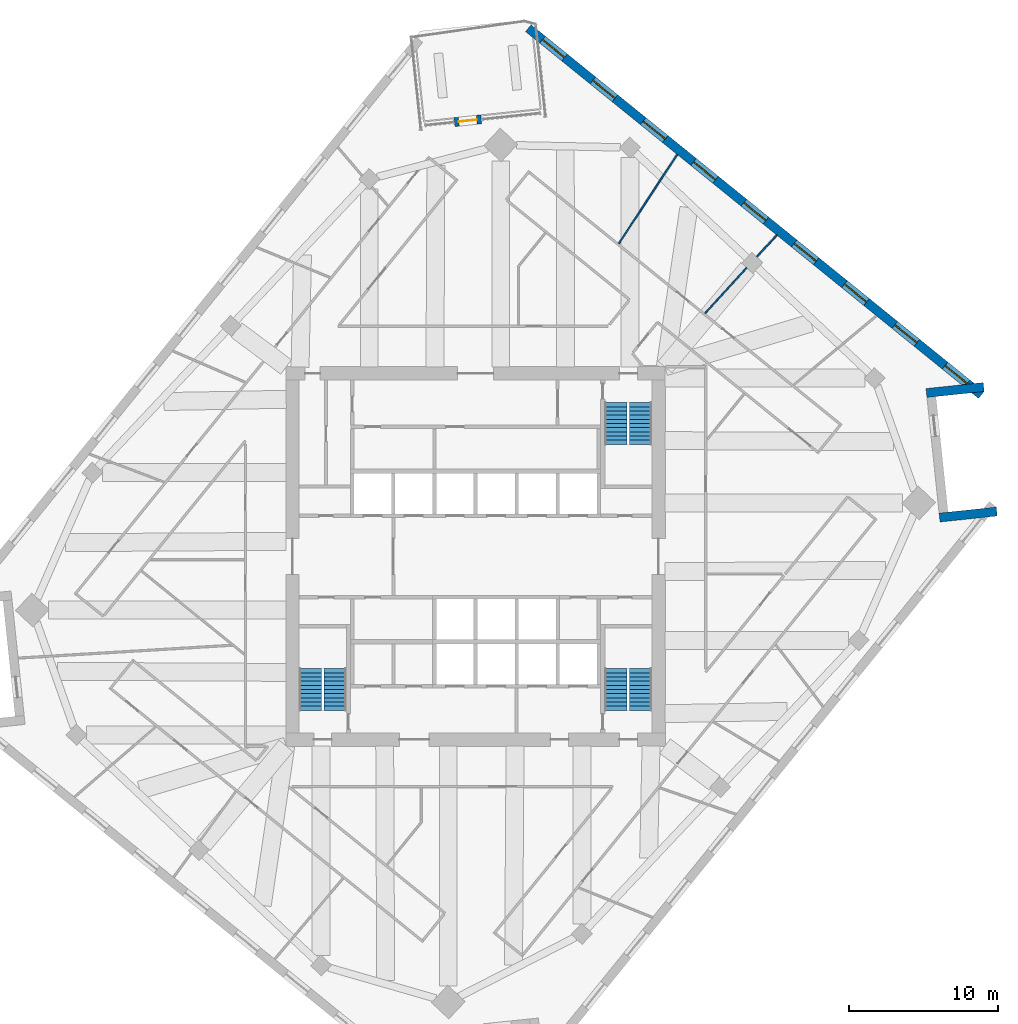
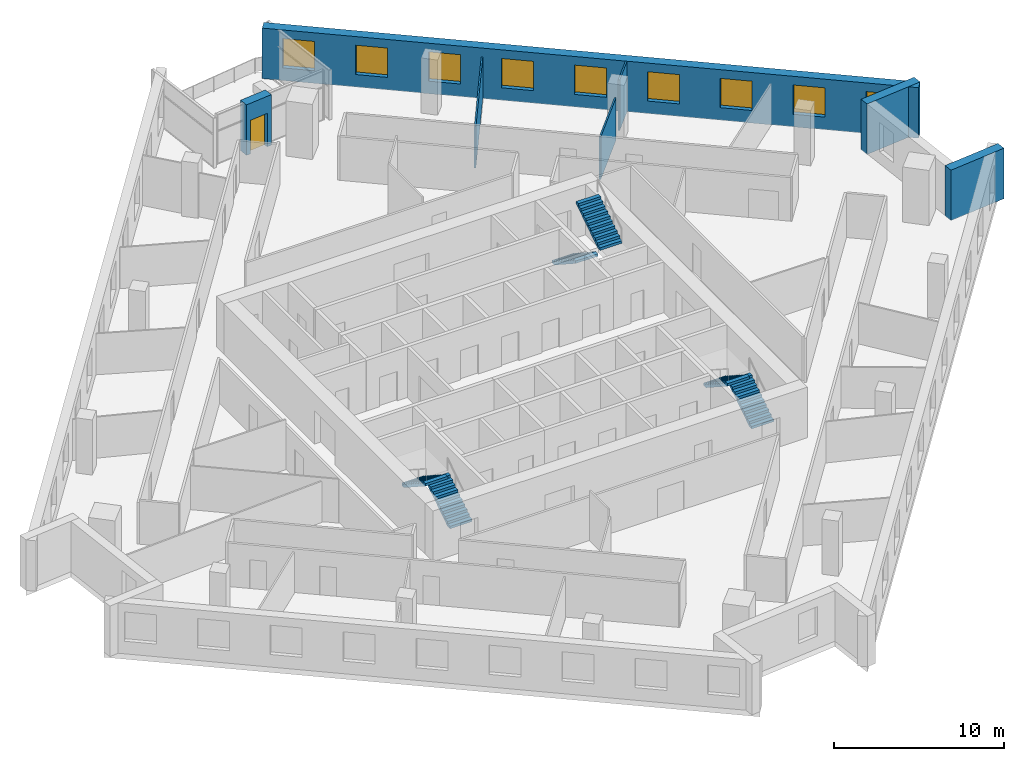
# One storey, part 12 of 14: 9 windows, 7 walls, 6 stair flights, 1 door, 10 openings, 3 elements without a shape of their own.
"""IFC4 building model written with IfcOpenShell, lengths in metres."""

from ifc_helpers import new_model, si_unit, direction, frame, frame_2d, origin, place, context, subcontext, project, spatial, polyline, rectangle, outline, extrude, material, layer, layer_set, type_object, element, fill, aggregate, save


model = new_model("IFC4")

# Units and contexts
model_context = context("Model", 3, precision=1e-05, world=origin(), true_north=direction((0.0, 1.0)))
body_context = subcontext(model_context, "Body", "Model", "MODEL_VIEW")
ifc_project = project(units=[si_unit("LENGTHUNIT", "METRE"), si_unit("AREAUNIT", "SQUARE_METRE"), si_unit("VOLUMEUNIT", "CUBIC_METRE"), si_unit("PLANEANGLEUNIT", "RADIAN"), si_unit("MASSUNIT", "GRAM", prefix="KILO")], contexts=[model_context])

# Site, building, storey
site_placement = place(None, origin())
site = spatial("IfcSite", under=ifc_project, at=site_placement, CompositionType="ELEMENT")
building_placement = place(site_placement, origin())
building = spatial("IfcBuilding", under=site, at=building_placement, Name="Dilmun Exchange Tower", CompositionType="ELEMENT")
storey_placement = place(building_placement, frame((0.0, 0.0, 225.300048828125)))
storey = spatial("IfcBuildingStorey", under=building, at=storey_placement, Name="L53", CompositionType="ELEMENT", Elevation=225.300048828125)

# Walls
ifc_material_1 = material(Name="Partition 100")
ifc_layer_1 = layer(ifc_material_1, 0.10009765625)
ifc_layer_set_1 = layer_set([ifc_layer_1], Name="Partition 100")
wall_type_1 = type_object("IfcWallType", Name="Partition 100", PredefinedType="PARTITIONING", material=ifc_layer_set_1)
wall_1_placement = place(storey_placement, frame((9.593994140625, 20.94921875, 0.0), z_axis=(0.0, 0.0, 1.0), x_axis=(0.548286159223, 0.836290791295, 0.0)))
element("IfcWall", 1, at=wall_1_placement, inside=storey, type_object=wall_type_1, Name="Partition", PredefinedType="PARTITIONING", context=body_context, shape_type="SweptSolid", body=[
    extrude(rectangle(XDim=7.115478515625, YDim=0.10009765625, at=frame_2d((3.5576171875, 0.0))), origin(), (0.0, 0.0, 1.0), 2.969970703125),
])
wall_2_placement = place(storey_placement, frame((15.36279296875, 16.275634765625, 0.0), z_axis=(0.0, 0.0, 1.0), x_axis=(0.675708525494, 0.737168900982, 0.0)))
element("IfcWall", 2, at=wall_2_placement, inside=storey, type_object=wall_type_1, Name="Partition", PredefinedType="PARTITIONING", context=body_context, shape_type="SweptSolid", body=[
    extrude(rectangle(XDim=4.119384765625, YDim=0.10009765625, at=frame_2d((2.0595703125, 0.0))), origin(), (0.0, 0.0, 1.0), 3.050048828125),
])
wall_3_placement = place(storey_placement, frame((18.822021484375, 20.049560546875, 0.0), z_axis=(0.0, 0.0, 1.0), x_axis=(0.675724628517, 0.737154140201, 0.0)))
element("IfcWall", 3, at=wall_3_placement, inside=storey, type_object=wall_type_1, Name="Partition", PredefinedType="PARTITIONING", context=body_context, shape_type="SweptSolid", body=[
    extrude(rectangle(XDim=1.975341796875, YDim=0.10009765625, at=frame_2d((0.98779296875, 0.0))), origin(), (0.0, 0.0, 1.0), 3.619873046875),
])
ifc_material_2 = material(Name="Precast concrete C50/60", Category="concrete")
ifc_layer_2 = layer(ifc_material_2, 0.60009765625)
ifc_layer_set_2 = layer_set([ifc_layer_2], Name="Precast concrete C50/60")
wall_type_2 = type_object("IfcWallType", Name="Precast stone-clad wall 600", PredefinedType="STANDARD", material=ifc_layer_set_2)
for number, where, z_axis, x_axis, name in (
    (4, (34.87841796875, 3.0087890625, 0.0), (0.0, 0.0, 1.0), (-0.994521092097, -0.104536105602, 0.0), "Facade wall L53-12"),
    (5, (30.17724609375, 10.93896484375, 0.0), (0.0, 0.0, 1.0), (0.994521092097, 0.104536105602, 0.0), "Facade wall L53-14"),
):
    element("IfcWall", number, at=place(storey_placement, frame(where, z_axis=z_axis, x_axis=x_axis)), inside=storey, type_object=wall_type_2, Name=name, PredefinedType="STANDARD", context=body_context, shape_type="SweptSolid", body=[
        extrude(rectangle(XDim=3.846435546875, YDim=0.60009765625, at=frame_2d((1.92333984375, 0.0))), origin(), (0.0, 0.0, 1.0), 3.619873046875),
    ])

# Wall, openings, windows
wall_4_placement = place(storey_placement, frame((33.84521484375, 10.8095703125, 0.0), z_axis=(0.0, 0.0, 1.0), x_axis=(-0.777145437972, 0.629321037499, 0.0)))
wall_4 = element("IfcWall", 6, at=wall_4_placement, inside=storey, type_object=wall_type_2, Name="Facade wall L53-15", PredefinedType="STANDARD", context=body_context, shape_type="SweptSolid", body=[
    extrude(rectangle(XDim=39.0, YDim=0.60009765625, at=frame_2d((19.5, 0.0))), origin(), (0.0, 0.0, 1.0), 3.619873046875),
])
opening_1_placement = place(wall_4_placement, frame((1.216796875, 0.0, 0.89990234375)))
opening_1 = element("IfcOpeningElement", 7, at=opening_1_placement, cuts=wall_4, Name="Opening W190-210", PredefinedType="OPENING", context=body_context, shape_type="SweptSolid", body=[
    extrude(rectangle(XDim=1.89990234375, YDim=2.10009765625, at=frame_2d((0.949951171875, 1.050048828125))), frame((0.0, 0.31005859375, 0.0), z_axis=(0.0, -1.0, 0.0), x_axis=(1.0, 0.0, 0.0)), (0.0, 0.0, 1.0), 0.6201171875),
])
opening_2_placement = place(wall_4_placement, frame((5.550048828125, 0.0, 0.89990234375)))
opening_2 = element("IfcOpeningElement", 8, at=opening_2_placement, cuts=wall_4, Name="Opening W190-210", PredefinedType="OPENING", context=body_context, shape_type="SweptSolid", body=[
    extrude(rectangle(XDim=1.89990234375, YDim=2.10009765625, at=frame_2d((0.949951171875, 1.050048828125))), frame((0.0, 0.31005859375, 0.0), z_axis=(0.0, -1.0, 0.0), x_axis=(1.0, 0.0, 0.0)), (0.0, 0.0, 1.0), 0.6201171875),
])
opening_3_placement = place(wall_4_placement, frame((9.88330078125, 0.0, 0.89990234375)))
opening_3 = element("IfcOpeningElement", 9, at=opening_3_placement, cuts=wall_4, Name="Opening W190-210", PredefinedType="OPENING", context=body_context, shape_type="SweptSolid", body=[
    extrude(rectangle(XDim=1.89990234375, YDim=2.10009765625, at=frame_2d((0.949951171875, 1.050048828125))), frame((0.0, 0.31005859375, 0.0), z_axis=(0.0, -1.0, 0.0), x_axis=(1.0, 0.0, 0.0)), (0.0, 0.0, 1.0), 0.6201171875),
])
opening_4_placement = place(wall_4_placement, frame((14.216796875, 0.0, 0.89990234375)))
opening_4 = element("IfcOpeningElement", 10, at=opening_4_placement, cuts=wall_4, Name="Opening W190-210", PredefinedType="OPENING", context=body_context, shape_type="SweptSolid", body=[
    extrude(rectangle(XDim=1.89990234375, YDim=2.10009765625, at=frame_2d((0.949951171875, 1.050048828125))), frame((0.0, 0.31005859375, 0.0), z_axis=(0.0, -1.0, 0.0), x_axis=(1.0, 0.0, 0.0)), (0.0, 0.0, 1.0), 0.6201171875),
])
opening_5_placement = place(wall_4_placement, frame((18.550048828125, 0.0, 0.89990234375)))
opening_5 = element("IfcOpeningElement", 11, at=opening_5_placement, cuts=wall_4, Name="Opening W190-210", PredefinedType="OPENING", context=body_context, shape_type="SweptSolid", body=[
    extrude(rectangle(XDim=1.89990234375, YDim=2.10009765625, at=frame_2d((0.949951171875, 1.050048828125))), frame((0.0, 0.31005859375, 0.0), z_axis=(0.0, -1.0, 0.0), x_axis=(1.0, 0.0, 0.0)), (0.0, 0.0, 1.0), 0.6201171875),
])
opening_6_placement = place(wall_4_placement, frame((22.88330078125, 0.0, 0.89990234375)))
opening_6 = element("IfcOpeningElement", 12, at=opening_6_placement, cuts=wall_4, Name="Opening W190-210", PredefinedType="OPENING", context=body_context, shape_type="SweptSolid", body=[
    extrude(rectangle(XDim=1.89990234375, YDim=2.10009765625, at=frame_2d((0.949951171875, 1.050048828125))), frame((0.0, 0.31005859375, 0.0), z_axis=(0.0, -1.0, 0.0), x_axis=(1.0, 0.0, 0.0)), (0.0, 0.0, 1.0), 0.6201171875),
])
opening_7_placement = place(wall_4_placement, frame((27.216796875, 0.0, 0.89990234375)))
opening_7 = element("IfcOpeningElement", 13, at=opening_7_placement, cuts=wall_4, Name="Opening W190-210", PredefinedType="OPENING", context=body_context, shape_type="SweptSolid", body=[
    extrude(rectangle(XDim=1.89990234375, YDim=2.10009765625, at=frame_2d((0.949951171875, 1.050048828125))), frame((0.0, 0.31005859375, 0.0), z_axis=(0.0, -1.0, 0.0), x_axis=(1.0, 0.0, 0.0)), (0.0, 0.0, 1.0), 0.6201171875),
])
opening_8_placement = place(wall_4_placement, frame((31.550048828125, 0.0, 0.89990234375)))
opening_8 = element("IfcOpeningElement", 14, at=opening_8_placement, cuts=wall_4, Name="Opening W190-210", PredefinedType="OPENING", context=body_context, shape_type="SweptSolid", body=[
    extrude(rectangle(XDim=1.89990234375, YDim=2.10009765625, at=frame_2d((0.949951171875, 1.050048828125))), frame((0.0, 0.31005859375, 0.0), z_axis=(0.0, -1.0, 0.0), x_axis=(1.0, 0.0, 0.0)), (0.0, 0.0, 1.0), 0.6201171875),
])
opening_9_placement = place(wall_4_placement, frame((35.88330078125, 0.0, 0.89990234375)))
opening_9 = element("IfcOpeningElement", 15, at=opening_9_placement, cuts=wall_4, Name="Opening W190-210", PredefinedType="OPENING", context=body_context, shape_type="SweptSolid", body=[
    extrude(rectangle(XDim=1.89990234375, YDim=2.10009765625, at=frame_2d((0.949951171875, 1.050048828125))), frame((0.0, 0.31005859375, 0.0), z_axis=(0.0, -1.0, 0.0), x_axis=(1.0, 0.0, 0.0)), (0.0, 0.0, 1.0), 0.6201171875),
])
ifc_material_3 = material(Name="Clear low-emissivity glass in aluminium frame", Category="aluminium")
window_type = type_object("IfcWindowType", Name="Punched window 1900 x 2100", PartitioningType="DOUBLE_PANEL_VERTICAL", PredefinedType="WINDOW", material=ifc_material_3)
window_1_placement = place(opening_1_placement, origin())
window_1 = element("IfcWindow", 16, at=window_1_placement, inside=storey, type_object=window_type, Name="Window 16.1", OverallHeight=2.10009765625, OverallWidth=1.89990234375, PartitioningType="SINGLE_PANEL", PredefinedType="WINDOW", context=body_context, shape_type="SweptSolid", body=[
    extrude(rectangle(XDim=1.89990234375, YDim=2.10009765625, at=frame_2d((0.949951171875, 1.050048828125))), frame((0.0, 0.030029296875, 0.0), z_axis=(0.0, -1.0, 0.0), x_axis=(1.0, 0.0, 0.0)), (0.0, 0.0, 1.0), 0.06005859375),
])
fill(opening_1, window_1)
window_2_placement = place(opening_2_placement, origin())
window_2 = element("IfcWindow", 17, at=window_2_placement, inside=storey, type_object=window_type, Name="Window 16.2", OverallHeight=2.10009765625, OverallWidth=1.89990234375, PartitioningType="SINGLE_PANEL", PredefinedType="WINDOW", context=body_context, shape_type="SweptSolid", body=[
    extrude(rectangle(XDim=1.89990234375, YDim=2.10009765625, at=frame_2d((0.949951171875, 1.050048828125))), frame((0.0, 0.030029296875, 0.0), z_axis=(0.0, -1.0, 0.0), x_axis=(1.0, 0.0, 0.0)), (0.0, 0.0, 1.0), 0.06005859375),
])
fill(opening_2, window_2)
window_3_placement = place(opening_3_placement, origin())
window_3 = element("IfcWindow", 18, at=window_3_placement, inside=storey, type_object=window_type, Name="Window 16.3", OverallHeight=2.10009765625, OverallWidth=1.89990234375, PartitioningType="SINGLE_PANEL", PredefinedType="WINDOW", context=body_context, shape_type="SweptSolid", body=[
    extrude(rectangle(XDim=1.89990234375, YDim=2.10009765625, at=frame_2d((0.949951171875, 1.050048828125))), frame((0.0, 0.030029296875, 0.0), z_axis=(0.0, -1.0, 0.0), x_axis=(1.0, 0.0, 0.0)), (0.0, 0.0, 1.0), 0.06005859375),
])
fill(opening_3, window_3)
window_4_placement = place(opening_4_placement, origin())
window_4 = element("IfcWindow", 19, at=window_4_placement, inside=storey, type_object=window_type, Name="Window 16.4", OverallHeight=2.10009765625, OverallWidth=1.89990234375, PartitioningType="SINGLE_PANEL", PredefinedType="WINDOW", context=body_context, shape_type="SweptSolid", body=[
    extrude(rectangle(XDim=1.89990234375, YDim=2.10009765625, at=frame_2d((0.949951171875, 1.050048828125))), frame((0.0, 0.030029296875, 0.0), z_axis=(0.0, -1.0, 0.0), x_axis=(1.0, 0.0, 0.0)), (0.0, 0.0, 1.0), 0.06005859375),
])
fill(opening_4, window_4)
window_5_placement = place(opening_5_placement, origin())
window_5 = element("IfcWindow", 20, at=window_5_placement, inside=storey, type_object=window_type, Name="Window 16.5", OverallHeight=2.10009765625, OverallWidth=1.89990234375, PartitioningType="SINGLE_PANEL", PredefinedType="WINDOW", context=body_context, shape_type="SweptSolid", body=[
    extrude(rectangle(XDim=1.89990234375, YDim=2.10009765625, at=frame_2d((0.949951171875, 1.050048828125))), frame((0.0, 0.030029296875, 0.0), z_axis=(0.0, -1.0, 0.0), x_axis=(1.0, 0.0, 0.0)), (0.0, 0.0, 1.0), 0.06005859375),
])
fill(opening_5, window_5)
window_6_placement = place(opening_6_placement, origin())
window_6 = element("IfcWindow", 21, at=window_6_placement, inside=storey, type_object=window_type, Name="Window 16.6", OverallHeight=2.10009765625, OverallWidth=1.89990234375, PartitioningType="SINGLE_PANEL", PredefinedType="WINDOW", context=body_context, shape_type="SweptSolid", body=[
    extrude(rectangle(XDim=1.89990234375, YDim=2.10009765625, at=frame_2d((0.949951171875, 1.050048828125))), frame((0.0, 0.030029296875, 0.0), z_axis=(0.0, -1.0, 0.0), x_axis=(1.0, 0.0, 0.0)), (0.0, 0.0, 1.0), 0.06005859375),
])
fill(opening_6, window_6)
window_7_placement = place(opening_7_placement, origin())
window_7 = element("IfcWindow", 22, at=window_7_placement, inside=storey, type_object=window_type, Name="Window 16.7", OverallHeight=2.10009765625, OverallWidth=1.89990234375, PartitioningType="SINGLE_PANEL", PredefinedType="WINDOW", context=body_context, shape_type="SweptSolid", body=[
    extrude(rectangle(XDim=1.89990234375, YDim=2.10009765625, at=frame_2d((0.949951171875, 1.050048828125))), frame((0.0, 0.030029296875, 0.0), z_axis=(0.0, -1.0, 0.0), x_axis=(1.0, 0.0, 0.0)), (0.0, 0.0, 1.0), 0.06005859375),
])
fill(opening_7, window_7)
window_8_placement = place(opening_8_placement, origin())
window_8 = element("IfcWindow", 23, at=window_8_placement, inside=storey, type_object=window_type, Name="Window 16.8", OverallHeight=2.10009765625, OverallWidth=1.89990234375, PartitioningType="SINGLE_PANEL", PredefinedType="WINDOW", context=body_context, shape_type="SweptSolid", body=[
    extrude(rectangle(XDim=1.89990234375, YDim=2.10009765625, at=frame_2d((0.949951171875, 1.050048828125))), frame((0.0, 0.030029296875, 0.0), z_axis=(0.0, -1.0, 0.0), x_axis=(1.0, 0.0, 0.0)), (0.0, 0.0, 1.0), 0.06005859375),
])
fill(opening_8, window_8)
window_9_placement = place(opening_9_placement, origin())
window_9 = element("IfcWindow", 24, at=window_9_placement, inside=storey, type_object=window_type, Name="Window 16.9", OverallHeight=2.10009765625, OverallWidth=1.89990234375, PartitioningType="SINGLE_PANEL", PredefinedType="WINDOW", context=body_context, shape_type="SweptSolid", body=[
    extrude(rectangle(XDim=1.89990234375, YDim=2.10009765625, at=frame_2d((0.949951171875, 1.050048828125))), frame((0.0, 0.030029296875, 0.0), z_axis=(0.0, -1.0, 0.0), x_axis=(1.0, 0.0, 0.0)), (0.0, 0.0, 1.0), 0.06005859375),
])
fill(opening_9, window_9)

# Wall, opening, door
wall_5_placement = place(storey_placement, frame((0.379638671875, 29.25537109375, 0.0), z_axis=(0.0, 0.0, 1.0), x_axis=(-0.994516595821, -0.104578872801, 0.0)))
wall_5 = element("IfcWall", 25, at=wall_5_placement, inside=storey, type_object=wall_type_2, Name="Facade wall L53-01-D", PredefinedType="STANDARD", context=body_context, shape_type="SweptSolid", body=[
    extrude(rectangle(XDim=1.7998046875, YDim=0.60009765625, at=frame_2d((0.89990234375, 0.0))), origin(), (0.0, 0.0, 1.0), 3.619873046875),
])
opening_10_placement = place(wall_5_placement, frame((0.300048828125, 0.0, 0.0)))
opening_10 = element("IfcOpeningElement", 26, at=opening_10_placement, cuts=wall_5, Name="Opening GD-1", PredefinedType="OPENING", context=body_context, shape_type="SweptSolid", body=[
    extrude(rectangle(XDim=1.199951171875, YDim=2.39990234375, at=frame_2d((0.60009765625, 1.199951171875))), frame((0.0, 0.31005859375, 0.0), z_axis=(0.0, -1.0, 0.0), x_axis=(1.0, 0.0, 0.0)), (0.0, 0.0, 1.0), 0.6201171875),
])
door_type = type_object("IfcDoorType", Name="Glazed garden door 1200 x 2400", OperationType="SINGLE_SWING_LEFT", PredefinedType="DOOR", material=ifc_material_3)
door_placement = place(opening_10_placement, origin())
door = element("IfcDoor", 27, at=door_placement, inside=storey, type_object=door_type, Name="Garden terrace door", OperationType="SINGLE_SWING_LEFT", OverallHeight=2.39990234375, OverallWidth=1.199951171875, PredefinedType="DOOR", context=body_context, shape_type="SweptSolid", body=[
    extrude(rectangle(XDim=1.199951171875, YDim=2.39990234375, at=frame_2d((0.60009765625, 1.199951171875))), frame((0.0, 0.02490234375, 0.0), z_axis=(0.0, -1.0, 0.0), x_axis=(1.0, 0.0, 0.0)), (0.0, 0.0, 1.0), 0.050048828125),
])
fill(opening_10, door)

# Stair, stair flights
ifc_material_4 = material(Name="Concrete C40/50", Category="concrete")
stair_type = type_object("IfcStairType", Name="Exit stair 1500 half-turn", PredefinedType="HALF_TURN_STAIR", material=ifc_material_4)
stair_1_placement = place(storey_placement, origin())
stair_1 = element("IfcStair", 28, at=stair_1_placement, inside=storey, type_object=stair_type, Name="L53 Protected exit stair ST1", PredefinedType="HALF_TURN_STAIR")
stair_flight_type = type_object("IfcStairFlightType", Name="Exit stair flight 1500", PredefinedType="STRAIGHT", material=ifc_material_4)
stair_flight_1_placement = place(storey_placement, frame((9.39990234375, 10.300048828125, 0.0), z_axis=(0.0, 0.0, 1.0), x_axis=(0.0, -1.0, 0.0)))
stair_flight_1 = element("IfcStairFlight", 29, at=stair_flight_1_placement, type_object=stair_flight_type, Name="ST1 flight 1", NumberOfRisers=11, NumberOfTreads=10, PredefinedType="STRAIGHT", RiserHeight=0.181818182, TreadLength=0.28, context=body_context, shape_type="SweptSolid", body=[
    extrude(outline(polyline([(0.0, 0.0), (0.0, 0.181884765625), (0.280029296875, 0.181884765625), (0.280029296875, 0.363525390625), (0.56005859375, 0.363525390625), (0.56005859375, 0.54541015625), (0.840087890625, 0.54541015625), (0.840087890625, 0.727294921875), (1.1201171875, 0.727294921875), (1.1201171875, 0.9091796875), (1.39990234375, 0.9091796875), (1.39990234375, 1.0908203125), (1.679931640625, 1.0908203125), (1.679931640625, 1.272705078125), (1.9599609375, 1.272705078125), (1.9599609375, 1.45458984375), (2.239990234375, 1.45458984375), (2.239990234375, 1.636474609375), (2.52001953125, 1.636474609375), (2.52001953125, 1.818115234375), (2.800048828125, 1.818115234375), (2.800048828125, 2.0), (2.800048828125, 1.639404296875), (0.275146484375, 0.0), (0.0, 0.0)])), frame((0.0, 0.75, 0.0), z_axis=(0.0, -1.0, 0.0), x_axis=(1.0, 0.0, 0.0)), (0.0, 0.0, 1.0), 1.5),
])
stair_flight_2_placement = place(storey_placement, frame((11.050048828125, 7.5, 2.0), z_axis=(0.0, 0.0, 1.0), x_axis=(0.0, 1.0, 0.0)))
stair_flight_2 = element("IfcStairFlight", 30, at=stair_flight_2_placement, type_object=stair_flight_type, Name="ST1 flight 2", NumberOfRisers=11, NumberOfTreads=10, PredefinedType="STRAIGHT", RiserHeight=0.181818182, TreadLength=0.28, context=body_context, shape_type="SweptSolid", body=[
    extrude(outline(polyline([(0.0, 0.0), (0.0, 0.181884765625), (0.280029296875, 0.181884765625), (0.280029296875, 0.363525390625), (0.56005859375, 0.363525390625), (0.56005859375, 0.54541015625), (0.840087890625, 0.54541015625), (0.840087890625, 0.727294921875), (1.1201171875, 0.727294921875), (1.1201171875, 0.9091796875), (1.39990234375, 0.9091796875), (1.39990234375, 1.0908203125), (1.679931640625, 1.0908203125), (1.679931640625, 1.272705078125), (1.9599609375, 1.272705078125), (1.9599609375, 1.45458984375), (2.239990234375, 1.45458984375), (2.239990234375, 1.636474609375), (2.52001953125, 1.636474609375), (2.52001953125, 1.818115234375), (2.800048828125, 1.818115234375), (2.800048828125, 2.0), (2.800048828125, 1.639404296875), (0.275146484375, 0.0), (0.0, 0.0)])), frame((0.0, 0.75, 0.0), z_axis=(0.0, -1.0, 0.0), x_axis=(1.0, 0.0, 0.0)), (0.0, 0.0, 1.0), 1.5),
])
aggregate(stair_1, [stair_flight_1, stair_flight_2])

stair_2_placement = place(storey_placement, origin())
stair_2 = element("IfcStair", 31, at=stair_2_placement, inside=storey, type_object=stair_type, Name="L53 Protected exit stair ST2", PredefinedType="HALF_TURN_STAIR")
stair_flight_3_placement = place(storey_placement, frame((-9.39990234375, -10.300048828125, 0.0), z_axis=(0.0, 0.0, 1.0), x_axis=(0.0, 1.0, 0.0)))
stair_flight_3 = element("IfcStairFlight", 32, at=stair_flight_3_placement, type_object=stair_flight_type, Name="ST2 flight 1", NumberOfRisers=11, NumberOfTreads=10, PredefinedType="STRAIGHT", RiserHeight=0.181818182, TreadLength=0.28, context=body_context, shape_type="SweptSolid", body=[
    extrude(outline(polyline([(0.0, 0.0), (0.0, 0.181884765625), (0.280029296875, 0.181884765625), (0.280029296875, 0.363525390625), (0.56005859375, 0.363525390625), (0.56005859375, 0.54541015625), (0.840087890625, 0.54541015625), (0.840087890625, 0.727294921875), (1.1201171875, 0.727294921875), (1.1201171875, 0.9091796875), (1.39990234375, 0.9091796875), (1.39990234375, 1.0908203125), (1.679931640625, 1.0908203125), (1.679931640625, 1.272705078125), (1.9599609375, 1.272705078125), (1.9599609375, 1.45458984375), (2.239990234375, 1.45458984375), (2.239990234375, 1.636474609375), (2.52001953125, 1.636474609375), (2.52001953125, 1.818115234375), (2.800048828125, 1.818115234375), (2.800048828125, 2.0), (2.800048828125, 1.639404296875), (0.275146484375, 0.0), (0.0, 0.0)])), frame((0.0, 0.75, 0.0), z_axis=(0.0, -1.0, 0.0), x_axis=(1.0, 0.0, 0.0)), (0.0, 0.0, 1.0), 1.5),
])
stair_flight_4_placement = place(storey_placement, frame((-11.050048828125, -7.5, 2.0), z_axis=(0.0, 0.0, 1.0), x_axis=(0.0, -1.0, 0.0)))
stair_flight_4 = element("IfcStairFlight", 33, at=stair_flight_4_placement, type_object=stair_flight_type, Name="ST2 flight 2", NumberOfRisers=11, NumberOfTreads=10, PredefinedType="STRAIGHT", RiserHeight=0.181818182, TreadLength=0.28, context=body_context, shape_type="SweptSolid", body=[
    extrude(outline(polyline([(0.0, 0.0), (0.0, 0.181884765625), (0.280029296875, 0.181884765625), (0.280029296875, 0.363525390625), (0.56005859375, 0.363525390625), (0.56005859375, 0.54541015625), (0.840087890625, 0.54541015625), (0.840087890625, 0.727294921875), (1.1201171875, 0.727294921875), (1.1201171875, 0.9091796875), (1.39990234375, 0.9091796875), (1.39990234375, 1.0908203125), (1.679931640625, 1.0908203125), (1.679931640625, 1.272705078125), (1.9599609375, 1.272705078125), (1.9599609375, 1.45458984375), (2.239990234375, 1.45458984375), (2.239990234375, 1.636474609375), (2.52001953125, 1.636474609375), (2.52001953125, 1.818115234375), (2.800048828125, 1.818115234375), (2.800048828125, 2.0), (2.800048828125, 1.639404296875), (0.275146484375, 0.0), (0.0, 0.0)])), frame((0.0, 0.75, 0.0), z_axis=(0.0, -1.0, 0.0), x_axis=(1.0, 0.0, 0.0)), (0.0, 0.0, 1.0), 1.5),
])
aggregate(stair_2, [stair_flight_3, stair_flight_4])

stair_3_placement = place(storey_placement, origin())
stair_3 = element("IfcStair", 34, at=stair_3_placement, inside=storey, type_object=stair_type, Name="L53 Protected exit stair ST3", PredefinedType="HALF_TURN_STAIR")
stair_flight_5_placement = place(storey_placement, frame((11.050048828125, -10.300048828125, 0.0), z_axis=(0.0, 0.0, 1.0), x_axis=(0.0, 1.0, 0.0)))
stair_flight_5 = element("IfcStairFlight", 35, at=stair_flight_5_placement, type_object=stair_flight_type, Name="ST3 flight 1", NumberOfRisers=11, NumberOfTreads=10, PredefinedType="STRAIGHT", RiserHeight=0.181818182, TreadLength=0.28, context=body_context, shape_type="SweptSolid", body=[
    extrude(outline(polyline([(0.0, 0.0), (0.0, 0.181884765625), (0.280029296875, 0.181884765625), (0.280029296875, 0.363525390625), (0.56005859375, 0.363525390625), (0.56005859375, 0.54541015625), (0.840087890625, 0.54541015625), (0.840087890625, 0.727294921875), (1.1201171875, 0.727294921875), (1.1201171875, 0.9091796875), (1.39990234375, 0.9091796875), (1.39990234375, 1.0908203125), (1.679931640625, 1.0908203125), (1.679931640625, 1.272705078125), (1.9599609375, 1.272705078125), (1.9599609375, 1.45458984375), (2.239990234375, 1.45458984375), (2.239990234375, 1.636474609375), (2.52001953125, 1.636474609375), (2.52001953125, 1.818115234375), (2.800048828125, 1.818115234375), (2.800048828125, 2.0), (2.800048828125, 1.639404296875), (0.275146484375, 0.0), (0.0, 0.0)])), frame((0.0, 0.75, 0.0), z_axis=(0.0, -1.0, 0.0), x_axis=(1.0, 0.0, 0.0)), (0.0, 0.0, 1.0), 1.5),
])
stair_flight_6_placement = place(storey_placement, frame((9.39990234375, -7.5, 2.0), z_axis=(0.0, 0.0, 1.0), x_axis=(0.0, -1.0, 0.0)))
stair_flight_6 = element("IfcStairFlight", 36, at=stair_flight_6_placement, type_object=stair_flight_type, Name="ST3 flight 2", NumberOfRisers=11, NumberOfTreads=10, PredefinedType="STRAIGHT", RiserHeight=0.181818182, TreadLength=0.28, context=body_context, shape_type="SweptSolid", body=[
    extrude(outline(polyline([(0.0, 0.0), (0.0, 0.181884765625), (0.280029296875, 0.181884765625), (0.280029296875, 0.363525390625), (0.56005859375, 0.363525390625), (0.56005859375, 0.54541015625), (0.840087890625, 0.54541015625), (0.840087890625, 0.727294921875), (1.1201171875, 0.727294921875), (1.1201171875, 0.9091796875), (1.39990234375, 0.9091796875), (1.39990234375, 1.0908203125), (1.679931640625, 1.0908203125), (1.679931640625, 1.272705078125), (1.9599609375, 1.272705078125), (1.9599609375, 1.45458984375), (2.239990234375, 1.45458984375), (2.239990234375, 1.636474609375), (2.52001953125, 1.636474609375), (2.52001953125, 1.818115234375), (2.800048828125, 1.818115234375), (2.800048828125, 2.0), (2.800048828125, 1.639404296875), (0.275146484375, 0.0), (0.0, 0.0)])), frame((0.0, 0.75, 0.0), z_axis=(0.0, -1.0, 0.0), x_axis=(1.0, 0.0, 0.0)), (0.0, 0.0, 1.0), 1.5),
])
aggregate(stair_3, [stair_flight_5, stair_flight_6])

save(model, "model.ifc")
